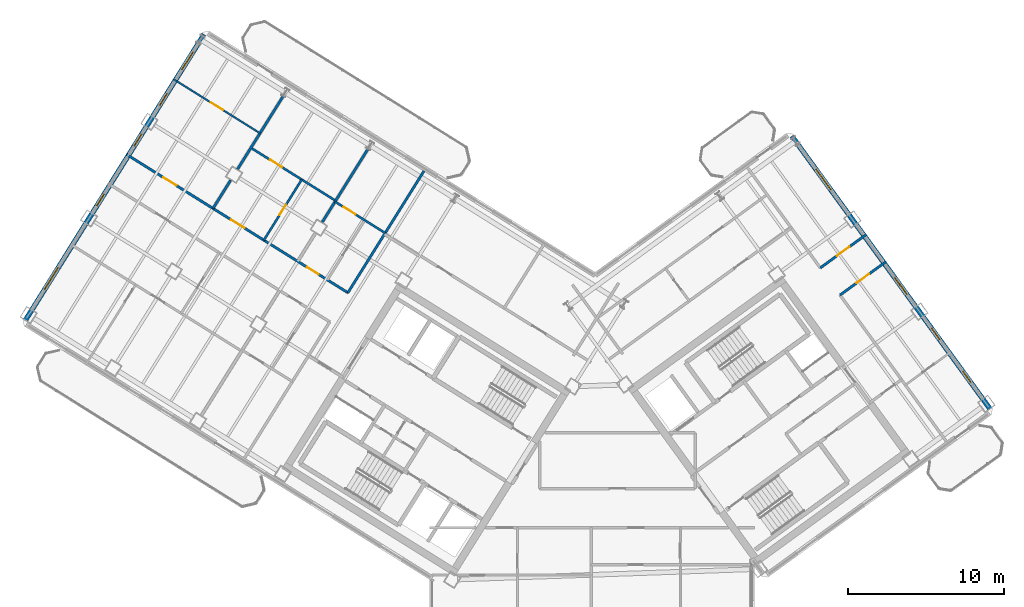
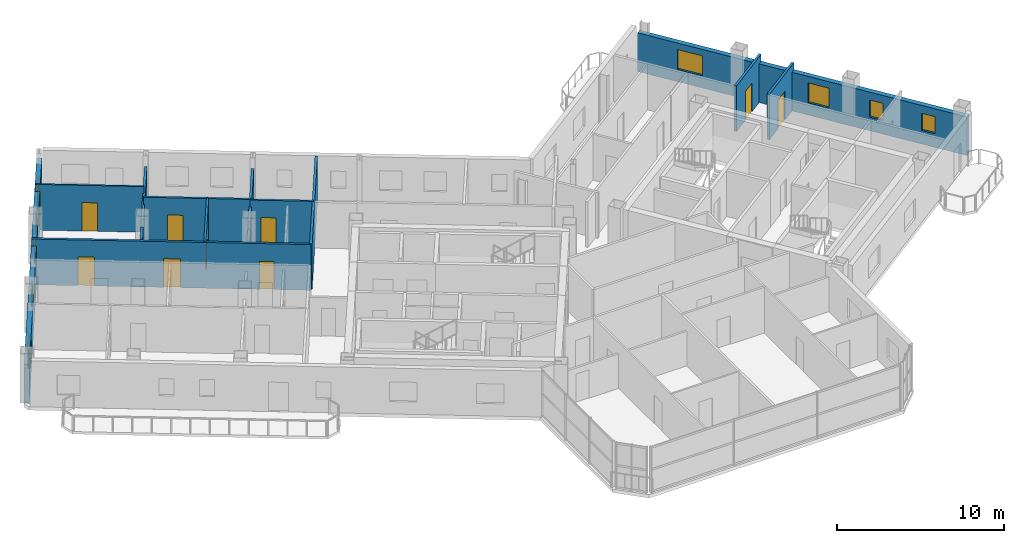
# One storey, part 15 of 21: 13 walls, 9 doors, 9 windows, 18 openings.
"""IFC4 building model written with IfcOpenShell, lengths in metres."""

from ifc_helpers import new_model, si_unit, direction, frame, frame_2d, origin, place, context, subcontext, project, spatial, rectangle, extrude, source, transform, mapped, material, layer, layer_set, type_object, element, fill, save


model = new_model("IFC4")

# Units and contexts
model_context = context("Model", 3, precision=1e-05, world=origin(), true_north=direction((0.0, 1.0)))
body_context = subcontext(model_context, "Body", "Model", "MODEL_VIEW")
ifc_project = project(units=[si_unit("LENGTHUNIT", "METRE"), si_unit("AREAUNIT", "SQUARE_METRE"), si_unit("VOLUMEUNIT", "CUBIC_METRE"), si_unit("PLANEANGLEUNIT", "RADIAN"), si_unit("MASSUNIT", "GRAM", prefix="KILO")], contexts=[model_context])

# Site, building, storey
site_placement = place(None, origin())
site = spatial("IfcSite", under=ifc_project, at=site_placement, CompositionType="ELEMENT")
building_placement = place(site_placement, origin())
building = spatial("IfcBuilding", under=site, at=building_placement, Name="Tlacorven Tower", CompositionType="ELEMENT")
storey_placement = place(building_placement, frame((0.0, 0.0, 222.0)))
storey = spatial("IfcBuildingStorey", under=building, at=storey_placement, Name="L56", CompositionType="ELEMENT", Elevation=222.0)

# Wall
ifc_material_1 = material(Name="Gypsum plasterboard acoustic partition", Category="gypsum")
ifc_layer_1 = layer(ifc_material_1, 0.159912109375)
ifc_layer_set_1 = layer_set([ifc_layer_1], Name="Gypsum plasterboard acoustic partition")
wall_type_1 = type_object("IfcWallType", Name="WL-DEM-160", PredefinedType="PARTITIONING", material=ifc_layer_set_1)
wall_1_placement = place(storey_placement, frame((31.238525390625, 38.27392578125, 0.0), z_axis=(0.0, 0.0, 1.0), x_axis=(-0.529920220799, -0.848047498427, 0.0)))
element("IfcWall", 1, at=wall_1_placement, inside=storey, type_object=wall_type_1, Name="L56 partition 40", PredefinedType="PARTITIONING", context=body_context, shape_type="SweptSolid", body=[
    extrude(rectangle(XDim=9.199951171875, YDim=0.159912109375, at=frame_2d((4.60009765625, 0.0))), origin(), (0.0, 0.0, 1.0), 3.340087890625),
])

# Wall, openings, doors
wall_2_placement = place(storey_placement, frame((26.36328125, 30.471923828125, 0.0), z_axis=(0.0, 0.0, 1.0), x_axis=(-0.848052408131, 0.529912363569, 0.0)))
wall_2 = element("IfcWall", 2, at=wall_2_placement, inside=storey, type_object=wall_type_1, Name="L56 Wing W Corridor South Wall", PredefinedType="PARTITIONING", context=body_context, shape_type="SweptSolid", body=[
    extrude(rectangle(XDim=16.72998046875, YDim=0.159912109375, at=frame_2d((8.364990234375, 0.0))), origin(), (0.0, 0.0, 1.0), 3.340087890625),
])
opening_1_placement = place(wall_2_placement, frame((2.219970703125, 0.0, 0.0)))
opening_1 = element("IfcOpeningElement", 3, at=opening_1_placement, cuts=wall_2, Name="Opening D19", PredefinedType="OPENING", context=body_context, shape_type="SweptSolid", body=[
    extrude(rectangle(XDim=0.860107421875, YDim=2.050048828125, at=frame_2d((0.43017578125, 1.02490234375))), frame((0.0, 0.08984375, 0.0), z_axis=(0.0, -1.0, 0.0), x_axis=(1.0, 0.0, 0.0)), (0.0, 0.0, 1.0), 0.179931640625),
])
opening_2_placement = place(wall_2_placement, frame((7.820068359375, 0.0, 0.0)))
opening_2 = element("IfcOpeningElement", 4, at=opening_2_placement, cuts=wall_2, Name="Opening D11", PredefinedType="OPENING", context=body_context, shape_type="SweptSolid", body=[
    extrude(rectangle(XDim=1.0, YDim=2.10009765625, at=frame_2d((0.5, 1.050048828125))), frame((0.0, 0.08984375, 0.0), z_axis=(0.0, -1.0, 0.0), x_axis=(1.0, 0.0, 0.0)), (0.0, 0.0, 1.0), 0.179931640625),
])
opening_3_placement = place(wall_2_placement, frame((12.949951171875, 0.0, 0.0)))
opening_3 = element("IfcOpeningElement", 5, at=opening_3_placement, cuts=wall_2, Name="Opening D11", PredefinedType="OPENING", context=body_context, shape_type="SweptSolid", body=[
    extrude(rectangle(XDim=1.0, YDim=2.10009765625, at=frame_2d((0.5, 1.050048828125))), frame((0.0, 0.08984375, 0.0), z_axis=(0.0, -1.0, 0.0), x_axis=(1.0, 0.0, 0.0)), (0.0, 0.0, 1.0), 0.179931640625),
])
ifc_material_2 = material(Name="Fire-rated steel door assembly", Category="steel")
door_type_1 = type_object("IfcDoorType", Name="DR-RSR-FD60-0860", OperationType="NOTDEFINED", PredefinedType="DOOR", material=ifc_material_2)
shared_shape_1 = source(origin(), body_context, "Body", "SweptSolid", [
    extrude(rectangle(XDim=0.860107421875, YDim=2.050048828125, at=frame_2d((0.43017578125, 1.02490234375))), frame((0.0, 0.02490234375, 0.0), z_axis=(0.0, -1.0, 0.0), x_axis=(1.0, 0.0, 0.0)), (0.0, 0.0, 1.0), 0.050048828125),
])
door_1_placement = place(opening_1_placement, origin())
door_1 = element("IfcDoor", 6, at=door_1_placement, inside=storey, type_object=door_type_1, Name="L56 door 030", OperationType="SINGLE_SWING_LEFT", OverallHeight=2.050048828125, OverallWidth=0.860107421875, PredefinedType="DOOR", context=body_context, shape_type="MappedRepresentation", body=[
    mapped(shared_shape_1, transform((0.0, 0.0, 0.0), scale=1.0)),
])
fill(opening_1, door_1)
door_type_2 = type_object("IfcDoorType", Name="DR-FLT-FD60-1000", OperationType="NOTDEFINED", PredefinedType="DOOR", material=ifc_material_2)
shared_shape_2 = source(origin(), body_context, "Body", "SweptSolid", [
    extrude(rectangle(XDim=1.0, YDim=2.10009765625, at=frame_2d((0.5, 1.050048828125))), frame((0.0, 0.02490234375, 0.0), z_axis=(0.0, -1.0, 0.0), x_axis=(1.0, 0.0, 0.0)), (0.0, 0.0, 1.0), 0.050048828125),
])
door_2_placement = place(opening_2_placement, origin())
door_2 = element("IfcDoor", 7, at=door_2_placement, inside=storey, type_object=door_type_2, Name="L56 door 033", OperationType="SINGLE_SWING_RIGHT", OverallHeight=2.10009765625, OverallWidth=1.0, PredefinedType="DOOR", context=body_context, shape_type="MappedRepresentation", body=[
    mapped(shared_shape_2, transform((0.0, 0.0, 0.0), scale=1.0)),
])
fill(opening_2, door_2)
door_3_placement = place(opening_3_placement, origin())
door_3 = element("IfcDoor", 8, at=door_3_placement, inside=storey, type_object=door_type_2, Name="L56 door 036", OperationType="SINGLE_SWING_LEFT", OverallHeight=2.10009765625, OverallWidth=1.0, PredefinedType="DOOR", context=body_context, shape_type="MappedRepresentation", body=[
    mapped(shared_shape_2, transform((0.0, 0.0, 0.0), scale=1.0)),
])
fill(opening_3, door_3)

# Walls
wall_3_placement = place(storey_placement, frame((27.6337890625, 39.657470703125, 0.0), z_axis=(0.0, 0.0, 1.0), x_axis=(-0.529899205623, -0.848060629837, 0.0)))
element("IfcWall", 9, at=wall_3_placement, inside=storey, type_object=wall_type_1, Name="L56 WS Demising Wall 1", PredefinedType="PARTITIONING", context=body_context, shape_type="SweptSolid", body=[
    extrude(rectangle(XDim=5.501220703125, YDim=0.159912109375, at=frame_2d((2.75048828125, 0.0))), origin(), (0.0, 0.0, 1.0), 2.824951171875),
])
wall_4_placement = place(storey_placement, frame((22.206298828125, 43.048828125, 0.0), z_axis=(0.0, 0.0, 1.0), x_axis=(-0.529919150083, -0.848048167486, 0.0)))
element("IfcWall", 10, at=wall_4_placement, inside=storey, type_object=wall_type_1, Name="L56 WS Demising Wall 2", PredefinedType="PARTITIONING", context=body_context, shape_type="SweptSolid", body=[
    extrude(rectangle(XDim=5.5009765625, YDim=0.159912109375, at=frame_2d((2.75048828125, 0.0))), origin(), (0.0, 0.0, 1.0), 2.824951171875),
])
wall_5_placement = place(storey_placement, frame((18.8544921875, 37.684814453125, 0.0), z_axis=(0.0, 0.0, 1.0), x_axis=(-0.52989628283, -0.848062456098, 0.0)))
element("IfcWall", 11, at=wall_5_placement, inside=storey, type_object=wall_type_1, Name="L56 WS Demising Wall 2", PredefinedType="PARTITIONING", context=body_context, shape_type="SweptSolid", body=[
    extrude(rectangle(XDim=2.1376953125, YDim=0.159912109375, at=frame_2d((1.06884765625, 0.0))), origin(), (0.0, 0.0, 1.0), 2.824951171875),
])

# Wall, opening, door
wall_6_placement = place(storey_placement, frame((57.890380859375, 30.32275390625, 0.0), z_axis=(0.0, 0.0, 1.0), x_axis=(0.809035546126, 0.58775971715, 0.0)))
wall_6 = element("IfcWall", 12, at=wall_6_placement, inside=storey, type_object=wall_type_1, Name="L56 partition 83", PredefinedType="PARTITIONING", context=body_context, shape_type="SweptSolid", body=[
    extrude(rectangle(XDim=3.6298828125, YDim=0.159912109375, at=frame_2d((1.81494140625, 0.0))), origin(), (0.0, 0.0, 1.0), 3.340087890625),
])
opening_4_placement = place(wall_6_placement, frame((1.304931640625, 0.0, 0.0)))
opening_4 = element("IfcOpeningElement", 13, at=opening_4_placement, cuts=wall_6, Name="Opening D11", PredefinedType="OPENING", context=body_context, shape_type="SweptSolid", body=[
    extrude(rectangle(XDim=1.0, YDim=2.10009765625, at=frame_2d((0.5, 1.050048828125))), frame((0.0, 0.08984375, 0.0), z_axis=(0.0, -1.0, 0.0), x_axis=(1.0, 0.0, 0.0)), (0.0, 0.0, 1.0), 0.179931640625),
])
door_4_placement = place(opening_4_placement, origin())
door_4 = element("IfcDoor", 14, at=door_4_placement, inside=storey, type_object=door_type_2, Name="L56 door 056", OperationType="SINGLE_SWING_LEFT", OverallHeight=2.10009765625, OverallWidth=1.0, PredefinedType="DOOR", context=body_context, shape_type="MappedRepresentation", body=[
    mapped(shared_shape_2, transform((0.0, 0.0, 0.0), scale=1.0)),
])
fill(opening_4, door_4)

wall_7_placement = place(storey_placement, frame((56.626708984375, 32.06201171875, 0.0), z_axis=(0.0, 0.0, 1.0), x_axis=(0.809003564202, 0.587803736896, 0.0)))
wall_7 = element("IfcWall", 15, at=wall_7_placement, inside=storey, type_object=wall_type_1, Name="L56 partition 84", PredefinedType="PARTITIONING", context=body_context, shape_type="SweptSolid", body=[
    extrude(rectangle(XDim=3.630126953125, YDim=0.159912109375, at=frame_2d((1.81494140625, 0.0))), origin(), (0.0, 0.0, 1.0), 3.340087890625),
])
opening_5_placement = place(wall_7_placement, frame((1.304931640625, 0.0, 0.0)))
opening_5 = element("IfcOpeningElement", 16, at=opening_5_placement, cuts=wall_7, Name="Opening D11", PredefinedType="OPENING", context=body_context, shape_type="SweptSolid", body=[
    extrude(rectangle(XDim=1.0, YDim=2.10009765625, at=frame_2d((0.5, 1.050048828125))), frame((0.0, 0.08984375, 0.0), z_axis=(0.0, -1.0, 0.0), x_axis=(1.0, 0.0, 0.0)), (0.0, 0.0, 1.0), 0.179931640625),
])
door_5_placement = place(opening_5_placement, origin())
door_5 = element("IfcDoor", 17, at=door_5_placement, inside=storey, type_object=door_type_2, Name="L56 door 055", OperationType="SINGLE_SWING_RIGHT", OverallHeight=2.10009765625, OverallWidth=1.0, PredefinedType="DOOR", context=body_context, shape_type="MappedRepresentation", body=[
    mapped(shared_shape_2, transform((0.0, 0.0, 0.0), scale=1.0)),
])
fill(opening_5, door_5)

# Wall, openings, windows
ifc_material_3 = material(Name="Precast concrete C45/55", Category="concrete")
ifc_layer_2 = layer(ifc_material_3, 0.320068359375)
ifc_layer_set_2 = layer_set([ifc_layer_2], Name="Precast concrete C45/55")
wall_type_2 = type_object("IfcWallType", Name="WL-EXT-320", PredefinedType="STANDARD", material=ifc_layer_set_2)
wall_8_placement = place(storey_placement, frame((5.699951171875, 28.71044921875, 0.0), z_axis=(0.0, 0.0, 1.0), x_axis=(0.529923711467, 0.8480453172, 0.0)))
wall_8 = element("IfcWall", 18, at=wall_8_placement, inside=storey, type_object=wall_type_2, Name="L56 Masonry-Frame Recessed Facade Wall 2", PredefinedType="STANDARD", context=body_context, shape_type="SweptSolid", body=[
    extrude(rectangle(XDim=21.58740234375, YDim=0.320068359375, at=frame_2d((10.793701171875, 0.0))), origin(), (0.0, 0.0, 1.0), 2.824951171875),
])
opening_6_placement = place(wall_8_placement, frame((2.318603515625, 0.0, 0.89990234375)))
opening_6 = element("IfcOpeningElement", 19, at=opening_6_placement, cuts=wall_8, Name="Opening WN07", PredefinedType="OPENING", context=body_context, shape_type="SweptSolid", body=[
    extrude(rectangle(XDim=1.64990234375, YDim=1.449951171875, at=frame_2d((0.824951171875, 0.72509765625))), frame((0.0, 0.169921875, 0.0), z_axis=(0.0, -1.0, 0.0), x_axis=(1.0, 0.0, 0.0)), (0.0, 0.0, 1.0), 0.340087890625),
])
opening_7_placement = place(wall_8_placement, frame((8.628662109375, 0.0, 1.0)))
opening_7 = element("IfcOpeningElement", 20, at=opening_7_placement, cuts=wall_8, Name="Opening WN05", PredefinedType="OPENING", context=body_context, shape_type="SweptSolid", body=[
    extrude(rectangle(XDim=0.89990234375, YDim=1.25, at=frame_2d((0.449951171875, 0.625))), frame((0.0, 0.169921875, 0.0), z_axis=(0.0, -1.0, 0.0), x_axis=(1.0, 0.0, 0.0)), (0.0, 0.0, 1.0), 0.340087890625),
])
opening_8_placement = place(wall_8_placement, frame((13.15869140625, 0.0, 1.0)))
opening_8 = element("IfcOpeningElement", 21, at=opening_8_placement, cuts=wall_8, Name="Opening WN05", PredefinedType="OPENING", context=body_context, shape_type="SweptSolid", body=[
    extrude(rectangle(XDim=0.89990234375, YDim=1.25, at=frame_2d((0.449951171875, 0.625))), frame((0.0, 0.169921875, 0.0), z_axis=(0.0, -1.0, 0.0), x_axis=(1.0, 0.0, 0.0)), (0.0, 0.0, 1.0), 0.340087890625),
])
opening_9_placement = place(wall_8_placement, frame((16.232177734375, 0.0, 1.0)))
opening_9 = element("IfcOpeningElement", 22, at=opening_9_placement, cuts=wall_8, Name="Opening WN05", PredefinedType="OPENING", context=body_context, shape_type="SweptSolid", body=[
    extrude(rectangle(XDim=0.89990234375, YDim=1.25, at=frame_2d((0.449951171875, 0.625))), frame((0.0, 0.169921875, 0.0), z_axis=(0.0, -1.0, 0.0), x_axis=(1.0, 0.0, 0.0)), (0.0, 0.0, 1.0), 0.340087890625),
])
opening_10_placement = place(wall_8_placement, frame((18.9248046875, 0.0, 0.89990234375)))
opening_10 = element("IfcOpeningElement", 23, at=opening_10_placement, cuts=wall_8, Name="Opening WN08", PredefinedType="OPENING", context=body_context, shape_type="SweptSolid", body=[
    extrude(rectangle(XDim=1.35009765625, YDim=1.449951171875, at=frame_2d((0.675048828125, 0.72509765625))), frame((0.0, 0.169921875, 0.0), z_axis=(0.0, -1.0, 0.0), x_axis=(1.0, 0.0, 0.0)), (0.0, 0.0, 1.0), 0.340087890625),
])
ifc_material_4 = material(Name="Dark solar low-E double glazing in anodised aluminium frame", Category="aluminium")
window_type_1 = type_object("IfcWindowType", Name="WN-APT-0900X1350", PartitioningType="SINGLE_PANEL", PredefinedType="WINDOW", material=ifc_material_4)
shared_shape_3 = source(origin(), body_context, "Body", "SweptSolid", [
    extrude(rectangle(XDim=0.89990234375, YDim=1.25, at=frame_2d((0.449951171875, 0.625))), frame((0.0, 0.030029296875, 0.0), z_axis=(0.0, -1.0, 0.0), x_axis=(1.0, 0.0, 0.0)), (0.0, 0.0, 1.0), 0.06005859375),
])
window_1_placement = place(opening_7_placement, origin())
window_1 = element("IfcWindow", 24, at=window_1_placement, inside=storey, type_object=window_type_1, Name="L56 Recessed Masonry-Frame Window L56-02.2", OverallHeight=1.25, OverallWidth=0.89990234375, PartitioningType="SINGLE_PANEL", PredefinedType="WINDOW", context=body_context, shape_type="MappedRepresentation", body=[
    mapped(shared_shape_3, transform((0.0, 0.0, 0.0), scale=1.0)),
])
fill(opening_7, window_1)
window_2_placement = place(opening_8_placement, origin())
window_2 = element("IfcWindow", 25, at=window_2_placement, inside=storey, type_object=window_type_1, Name="L56 Recessed Masonry-Frame Window L56-02.3", OverallHeight=1.25, OverallWidth=0.89990234375, PartitioningType="SINGLE_PANEL", PredefinedType="WINDOW", context=body_context, shape_type="MappedRepresentation", body=[
    mapped(shared_shape_3, transform((0.0, 0.0, 0.0), scale=1.0)),
])
fill(opening_8, window_2)
window_3_placement = place(opening_9_placement, origin())
window_3 = element("IfcWindow", 26, at=window_3_placement, inside=storey, type_object=window_type_1, Name="L56 Recessed Masonry-Frame Window L56-02.4", OverallHeight=1.25, OverallWidth=0.89990234375, PartitioningType="SINGLE_PANEL", PredefinedType="WINDOW", context=body_context, shape_type="MappedRepresentation", body=[
    mapped(shared_shape_3, transform((0.0, 0.0, 0.0), scale=1.0)),
])
fill(opening_9, window_3)
window_type_2 = type_object("IfcWindowType", Name="WN-APT-1650X1600", PartitioningType="SINGLE_PANEL", PredefinedType="WINDOW", material=ifc_material_4)
shared_shape_4 = source(origin(), body_context, "Body", "SweptSolid", [
    extrude(rectangle(XDim=1.64990234375, YDim=1.449951171875, at=frame_2d((0.824951171875, 0.72509765625))), frame((0.0, 0.030029296875, 0.0), z_axis=(0.0, -1.0, 0.0), x_axis=(1.0, 0.0, 0.0)), (0.0, 0.0, 1.0), 0.06005859375),
])
window_4_placement = place(opening_6_placement, origin())
window_4 = element("IfcWindow", 27, at=window_4_placement, inside=storey, type_object=window_type_2, Name="L56 Recessed Masonry-Frame Window L56-02.1", OverallHeight=1.449951171875, OverallWidth=1.64990234375, PartitioningType="SINGLE_PANEL", PredefinedType="WINDOW", context=body_context, shape_type="MappedRepresentation", body=[
    mapped(shared_shape_4, transform((0.0, 0.0, 0.0), scale=1.0)),
])
fill(opening_6, window_4)
window_type_3 = type_object("IfcWindowType", Name="WN-APT-1350X1550", PartitioningType="SINGLE_PANEL", PredefinedType="WINDOW", material=ifc_material_4)
shared_shape_5 = source(origin(), body_context, "Body", "SweptSolid", [
    extrude(rectangle(XDim=1.35009765625, YDim=1.449951171875, at=frame_2d((0.675048828125, 0.72509765625))), frame((0.0, 0.030029296875, 0.0), z_axis=(0.0, -1.0, 0.0), x_axis=(1.0, 0.0, 0.0)), (0.0, 0.0, 1.0), 0.06005859375),
])
window_5_placement = place(opening_10_placement, origin())
window_5 = element("IfcWindow", 28, at=window_5_placement, inside=storey, type_object=window_type_3, Name="L56 Recessed Masonry-Frame Window L56-02.5", OverallHeight=1.449951171875, OverallWidth=1.35009765625, PartitioningType="SINGLE_PANEL", PredefinedType="WINDOW", context=body_context, shape_type="MappedRepresentation", body=[
    mapped(shared_shape_5, transform((0.0, 0.0, 0.0), scale=1.0)),
])
fill(opening_10, window_5)

wall_9_placement = place(storey_placement, frame((54.810302734375, 40.49951171875, 0.0), z_axis=(0.0, 0.0, 1.0), x_axis=(0.587783625747, -0.809018176127, 0.0)))
wall_9 = element("IfcWall", 29, at=wall_9_placement, inside=storey, type_object=wall_type_2, Name="L56 Masonry-Frame Recessed Facade Wall 5", PredefinedType="STANDARD", context=body_context, shape_type="SweptSolid", body=[
    extrude(rectangle(XDim=21.58740234375, YDim=0.320068359375, at=frame_2d((10.793701171875, 0.0))), origin(), (0.0, 0.0, 1.0), 2.824951171875),
])
opening_11_placement = place(wall_9_placement, frame((2.606201171875, 0.0, 0.89990234375)))
opening_11 = element("IfcOpeningElement", 30, at=opening_11_placement, cuts=wall_9, Name="Opening WN07", PredefinedType="OPENING", context=body_context, shape_type="SweptSolid", body=[
    extrude(rectangle(XDim=1.64990234375, YDim=1.449951171875, at=frame_2d((0.824951171875, 0.72509765625))), frame((0.0, 0.169921875, 0.0), z_axis=(0.0, -1.0, 0.0), x_axis=(1.0, 0.0, 0.0)), (0.0, 0.0, 1.0), 0.340087890625),
])
opening_12_placement = place(wall_9_placement, frame((11.18359375, 0.0, 0.89990234375)))
opening_12 = element("IfcOpeningElement", 31, at=opening_12_placement, cuts=wall_9, Name="Opening WN08", PredefinedType="OPENING", context=body_context, shape_type="SweptSolid", body=[
    extrude(rectangle(XDim=1.35009765625, YDim=1.449951171875, at=frame_2d((0.675048828125, 0.72509765625))), frame((0.0, 0.169921875, 0.0), z_axis=(0.0, -1.0, 0.0), x_axis=(1.0, 0.0, 0.0)), (0.0, 0.0, 1.0), 0.340087890625),
])
opening_13_placement = place(wall_9_placement, frame((15.2021484375, 0.0, 1.0)))
opening_13 = element("IfcOpeningElement", 32, at=opening_13_placement, cuts=wall_9, Name="Opening WN05", PredefinedType="OPENING", context=body_context, shape_type="SweptSolid", body=[
    extrude(rectangle(XDim=0.89990234375, YDim=1.25, at=frame_2d((0.449951171875, 0.625))), frame((0.0, 0.169921875, 0.0), z_axis=(0.0, -1.0, 0.0), x_axis=(1.0, 0.0, 0.0)), (0.0, 0.0, 1.0), 0.340087890625),
])
opening_14_placement = place(wall_9_placement, frame((18.607177734375, 0.0, 1.0)))
opening_14 = element("IfcOpeningElement", 33, at=opening_14_placement, cuts=wall_9, Name="Opening WN05", PredefinedType="OPENING", context=body_context, shape_type="SweptSolid", body=[
    extrude(rectangle(XDim=0.89990234375, YDim=1.25, at=frame_2d((0.449951171875, 0.625))), frame((0.0, 0.169921875, 0.0), z_axis=(0.0, -1.0, 0.0), x_axis=(1.0, 0.0, 0.0)), (0.0, 0.0, 1.0), 0.340087890625),
])
window_6_placement = place(opening_13_placement, origin())
window_6 = element("IfcWindow", 34, at=window_6_placement, inside=storey, type_object=window_type_1, Name="L56 Recessed Masonry-Frame Window L56-05.3", OverallHeight=1.25, OverallWidth=0.89990234375, PartitioningType="SINGLE_PANEL", PredefinedType="WINDOW", context=body_context, shape_type="MappedRepresentation", body=[
    mapped(shared_shape_3, transform((0.0, 0.0, 0.0), scale=1.0)),
])
fill(opening_13, window_6)
window_7_placement = place(opening_14_placement, origin())
window_7 = element("IfcWindow", 35, at=window_7_placement, inside=storey, type_object=window_type_1, Name="L56 Recessed Masonry-Frame Window L56-05.4", OverallHeight=1.25, OverallWidth=0.89990234375, PartitioningType="SINGLE_PANEL", PredefinedType="WINDOW", context=body_context, shape_type="MappedRepresentation", body=[
    mapped(shared_shape_3, transform((0.0, 0.0, 0.0), scale=1.0)),
])
fill(opening_14, window_7)
window_8_placement = place(opening_11_placement, origin())
window_8 = element("IfcWindow", 36, at=window_8_placement, inside=storey, type_object=window_type_2, Name="L56 Recessed Masonry-Frame Window L56-05.1", OverallHeight=1.449951171875, OverallWidth=1.64990234375, PartitioningType="SINGLE_PANEL", PredefinedType="WINDOW", context=body_context, shape_type="MappedRepresentation", body=[
    mapped(shared_shape_4, transform((0.0, 0.0, 0.0), scale=1.0)),
])
fill(opening_11, window_8)
window_9_placement = place(opening_12_placement, origin())
window_9 = element("IfcWindow", 37, at=window_9_placement, inside=storey, type_object=window_type_3, Name="L56 Recessed Masonry-Frame Window L56-05.2", OverallHeight=1.449951171875, OverallWidth=1.35009765625, PartitioningType="SINGLE_PANEL", PredefinedType="WINDOW", context=body_context, shape_type="MappedRepresentation", body=[
    mapped(shared_shape_5, transform((0.0, 0.0, 0.0), scale=1.0)),
])
fill(opening_12, window_9)

# Wall, opening, door
ifc_material_5 = material(Name="Gypsum plasterboard partition", Category="gypsum")
ifc_layer_3 = layer(ifc_material_5, 0.110107421875)
ifc_layer_set_3 = layer_set([ifc_layer_3], Name="Gypsum plasterboard partition")
wall_type_3 = type_object("IfcWallType", Name="WL-INT-110", PredefinedType="PARTITIONING", material=ifc_layer_set_3)
wall_10_placement = place(storey_placement, frame((20.732666015625, 40.6904296875, 0.0), z_axis=(0.0, 0.0, 1.0), x_axis=(-0.848048787466, 0.529918157905, 0.0)))
wall_10 = element("IfcWall", 38, at=wall_10_placement, inside=storey, type_object=wall_type_3, Name="L56 partition 57", PredefinedType="PARTITIONING", context=body_context, shape_type="SweptSolid", body=[
    extrude(rectangle(XDim=6.52001953125, YDim=0.110107421875, at=frame_2d((3.260009765625, 0.0))), origin(), (0.0, 0.0, 1.0), 3.340087890625),
])
opening_15_placement = place(wall_10_placement, frame((2.800048828125, 0.0, 0.0)))
opening_15 = element("IfcOpeningElement", 39, at=opening_15_placement, cuts=wall_10, Name="Opening D12", PredefinedType="OPENING", context=body_context, shape_type="SweptSolid", body=[
    extrude(rectangle(XDim=0.919921875, YDim=2.080078125, at=frame_2d((0.4599609375, 1.0400390625))), frame((0.0, 0.06494140625, 0.0), z_axis=(0.0, -1.0, 0.0), x_axis=(1.0, 0.0, 0.0)), (0.0, 0.0, 1.0), 0.130126953125),
])
ifc_material_6 = material(Name="Powder-coated aluminium and timber door", Category="wood")
door_type_3 = type_object("IfcDoorType", Name="DR-INT-ROOM-0920", OperationType="NOTDEFINED", PredefinedType="DOOR", material=ifc_material_6)
shared_shape_6 = source(origin(), body_context, "Body", "SweptSolid", [
    extrude(rectangle(XDim=0.919921875, YDim=2.080078125, at=frame_2d((0.4599609375, 1.0400390625))), frame((0.0, 0.02490234375, 0.0), z_axis=(0.0, -1.0, 0.0), x_axis=(1.0, 0.0, 0.0)), (0.0, 0.0, 1.0), 0.050048828125),
])
door_6_placement = place(opening_15_placement, origin())
door_6 = element("IfcDoor", 40, at=door_6_placement, inside=storey, type_object=door_type_3, Name="L56 door 037", OperationType="SINGLE_SWING_RIGHT", OverallHeight=2.080078125, OverallWidth=0.919921875, PredefinedType="DOOR", context=body_context, shape_type="MappedRepresentation", body=[
    mapped(shared_shape_6, transform((0.0, 0.0, 0.0), scale=1.0)),
])
fill(opening_15, door_6)

ifc_material_7 = material(Name="Moisture-resistant gypsum plumbing wall", Category="gypsum")
ifc_layer_4 = layer(ifc_material_7, 0.139892578125)
ifc_layer_set_4 = layer_set([ifc_layer_4], Name="Moisture-resistant gypsum plumbing wall")
wall_type_4 = type_object("IfcWallType", Name="WL-PLM-140", PredefinedType="PLUMBINGWALL", material=ifc_layer_set_4)
wall_11_placement = place(storey_placement, frame((28.753173828125, 34.296630859375, 0.0), z_axis=(0.0, 0.0, 1.0), x_axis=(-0.848059820872, 0.529900500304, 0.0)))
wall_11 = element("IfcWall", 41, at=wall_11_placement, inside=storey, type_object=wall_type_4, Name="L56 partition 52", PredefinedType="PLUMBINGWALL", context=body_context, shape_type="SweptSolid", body=[
    extrude(rectangle(XDim=3.7900390625, YDim=0.139892578125, at=frame_2d((1.89501953125, 0.0))), origin(), (0.0, 0.0, 1.0), 3.340087890625),
])
opening_16_placement = place(wall_11_placement, frame((2.22998046875, 0.0, 0.0)))
opening_16 = element("IfcOpeningElement", 42, at=opening_16_placement, cuts=wall_11, Name="Opening D12", PredefinedType="OPENING", context=body_context, shape_type="SweptSolid", body=[
    extrude(rectangle(XDim=0.919921875, YDim=2.080078125, at=frame_2d((0.4599609375, 1.0400390625))), frame((0.0, 0.080078125, 0.0), z_axis=(0.0, -1.0, 0.0), x_axis=(1.0, 0.0, 0.0)), (0.0, 0.0, 1.0), 0.159912109375),
])
door_7_placement = place(opening_16_placement, origin())
door_7 = element("IfcDoor", 43, at=door_7_placement, inside=storey, type_object=door_type_3, Name="L56 door 031", OperationType="SINGLE_SWING_RIGHT", OverallHeight=2.080078125, OverallWidth=0.919921875, PredefinedType="DOOR", context=body_context, shape_type="MappedRepresentation", body=[
    mapped(shared_shape_6, transform((0.0, 0.0, 0.0), scale=1.0)),
])
fill(opening_16, door_7)

wall_12_placement = place(storey_placement, frame((25.576171875, 36.364501953125, 0.0), z_axis=(0.0, 0.0, 1.0), x_axis=(-0.848056163074, 0.529906354247, 0.0)))
wall_12 = element("IfcWall", 44, at=wall_12_placement, inside=storey, type_object=wall_type_4, Name="L56 partition 55", PredefinedType="PLUMBINGWALL", context=body_context, shape_type="SweptSolid", body=[
    extrude(rectangle(XDim=6.39990234375, YDim=0.139892578125, at=frame_2d((3.199951171875, 0.0))), origin(), (0.0, 0.0, 1.0), 3.340087890625),
])
opening_17_placement = place(wall_12_placement, frame((4.0400390625, 0.0, 0.0)))
opening_17 = element("IfcOpeningElement", 45, at=opening_17_placement, cuts=wall_12, Name="Opening D12", PredefinedType="OPENING", context=body_context, shape_type="SweptSolid", body=[
    extrude(rectangle(XDim=0.919921875, YDim=2.080078125, at=frame_2d((0.4599609375, 1.0400390625))), frame((0.0, 0.080078125, 0.0), z_axis=(0.0, -1.0, 0.0), x_axis=(1.0, 0.0, 0.0)), (0.0, 0.0, 1.0), 0.159912109375),
])
door_8_placement = place(opening_17_placement, origin())
door_8 = element("IfcDoor", 46, at=door_8_placement, inside=storey, type_object=door_type_3, Name="L56 door 034", OperationType="SINGLE_SWING_LEFT", OverallHeight=2.080078125, OverallWidth=0.919921875, PredefinedType="DOOR", context=body_context, shape_type="MappedRepresentation", body=[
    mapped(shared_shape_6, transform((0.0, 0.0, 0.0), scale=1.0)),
])
fill(opening_17, door_8)

wall_13_placement = place(storey_placement, frame((23.4052734375, 37.720947265625, 0.0), z_axis=(0.0, 0.0, 1.0), x_axis=(-0.529955816375, -0.848025254748, 0.0)))
wall_13 = element("IfcWall", 47, at=wall_13_placement, inside=storey, type_object=wall_type_4, Name="L56 partition 56", PredefinedType="PLUMBINGWALL", context=body_context, shape_type="SweptSolid", body=[
    extrude(rectangle(XDim=4.580078125, YDim=0.139892578125, at=frame_2d((2.2900390625, 0.0))), origin(), (0.0, 0.0, 1.0), 3.340087890625),
])
opening_18_placement = place(wall_13_placement, frame((1.89990234375, 0.0, 0.0)))
opening_18 = element("IfcOpeningElement", 48, at=opening_18_placement, cuts=wall_13, Name="Opening D22", PredefinedType="OPENING", context=body_context, shape_type="SweptSolid", body=[
    extrude(rectangle(XDim=0.780029296875, YDim=2.050048828125, at=frame_2d((0.39013671875, 1.02490234375))), frame((0.0, 0.080078125, 0.0), z_axis=(0.0, -1.0, 0.0), x_axis=(1.0, 0.0, 0.0)), (0.0, 0.0, 1.0), 0.159912109375),
])
door_type_4 = type_object("IfcDoorType", Name="DR-INT-WET-0780", OperationType="NOTDEFINED", PredefinedType="DOOR", material=ifc_material_6)
shared_shape_7 = source(origin(), body_context, "Body", "SweptSolid", [
    extrude(rectangle(XDim=0.780029296875, YDim=2.050048828125, at=frame_2d((0.39013671875, 1.02490234375))), frame((0.0, 0.02490234375, 0.0), z_axis=(0.0, -1.0, 0.0), x_axis=(1.0, 0.0, 0.0)), (0.0, 0.0, 1.0), 0.050048828125),
])
door_9_placement = place(opening_18_placement, origin())
door_9 = element("IfcDoor", 49, at=door_9_placement, inside=storey, type_object=door_type_4, Name="L56 door 035", OperationType="SINGLE_SWING_RIGHT", OverallHeight=2.050048828125, OverallWidth=0.780029296875, PredefinedType="DOOR", context=body_context, shape_type="MappedRepresentation", body=[
    mapped(shared_shape_7, transform((0.0, 0.0, 0.0), scale=1.0)),
])
fill(opening_18, door_9)

save(model, "model.ifc")
